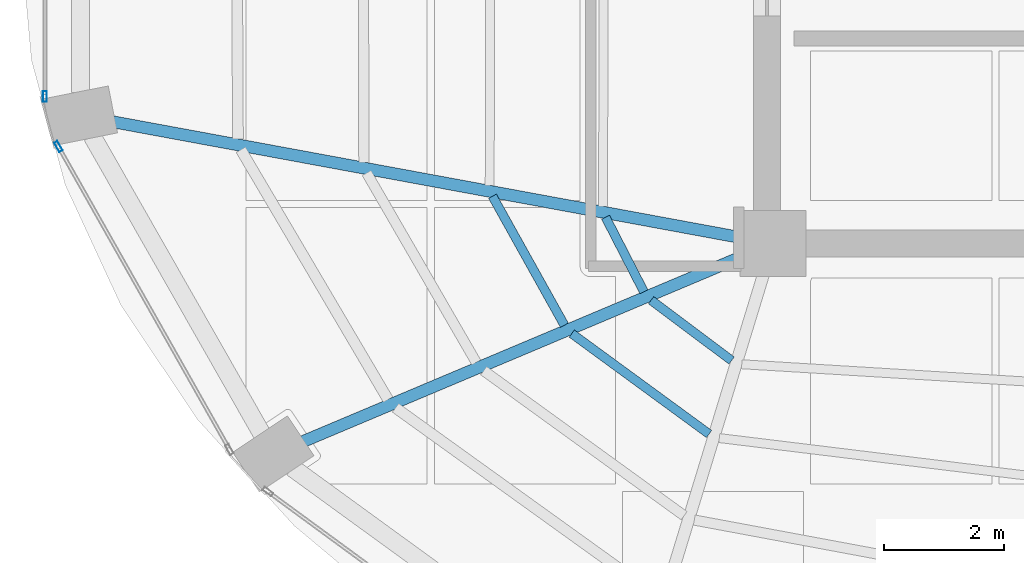
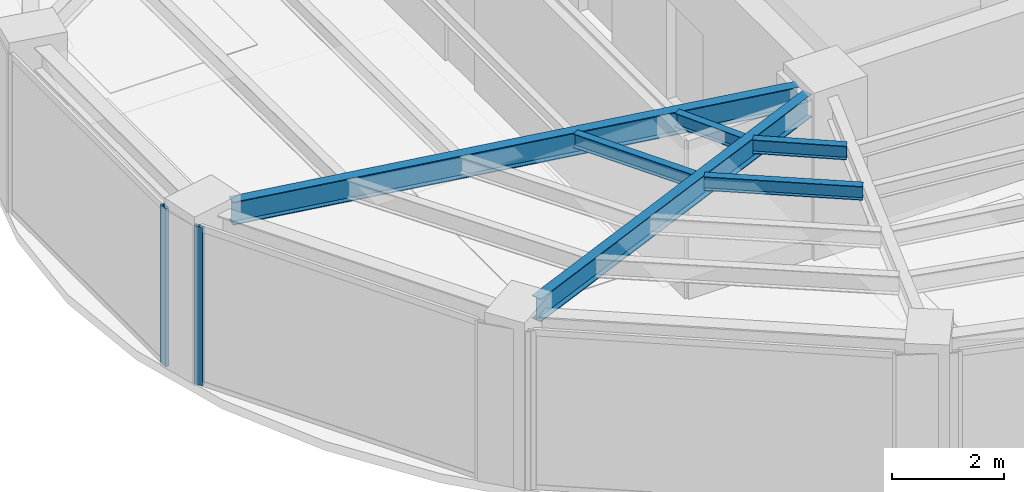
# One storey, part 4 of 22: 6 beams, 2 members, 2 elements without a shape of their own.
"""IFC4 building model written with IfcOpenShell, lengths in metres."""

import ifcopenshell
import ifcopenshell.guid

model = None  # the IFC model being written
_history = None  # IfcOwnerHistory: only IFC2X3 demands one
_inside = {}  # id of a spatial element -> (the spatial element, [elements in it])
_under = {}  # id of a project, library or spatial element -> (it, [spatial elements below it])
_declared = {}  # id of a project -> (the project, [libraries it declares])
_typed = {}  # id of a type object -> (the type object, [elements of that type])
_made_of = {}  # id of a material, layer set ... -> (it, [elements and type objects made of it])


def new_model(schema):
    """Start an empty IFC model of exactly this schema.

    Asked for "IFC4X3", IfcOpenShell would pick the latest addendum, in which some entities
    have other attributes; the version numbers below select the first issue.
    IFC2X3 requires an IfcOwnerHistory on every rooted entity: one is made here for all.
    """
    global model, _history
    if schema == "IFC4X3":
        model = ifcopenshell.file(schema_version=(4, 3, 0, 0))
    else:
        model = ifcopenshell.file(schema=schema)
    _inside.clear()
    _under.clear()
    _declared.clear()
    _typed.clear()
    _made_of.clear()
    _history = None
    if model.schema == "IFC2X3":
        org = make("IfcOrganization", Name="unknown")
        user = make(
            "IfcPersonAndOrganization",
            ThePerson=make("IfcPerson", FamilyName="unknown"),
            TheOrganization=org,
        )
        app = make(
            "IfcApplication",
            ApplicationDeveloper=org,
            Version="unknown",
            ApplicationFullName="unknown",
            ApplicationIdentifier="unknown",
        )
        _history = make(
            "IfcOwnerHistory",
            OwningUser=user,
            OwningApplication=app,
            ChangeAction="ADDED",
            CreationDate=0,
        )
    return model


def make(cls, **values):
    """One entity of the class cls with the attributes given. An attribute that is None is left unset."""
    return model.create_entity(
        cls, **{name: value for name, value in values.items() if value is not None}
    )


def rooted(cls, **values):
    """An entity with a GlobalId (a new one), such as an element, a storey or a relation."""
    return make(cls, GlobalId=ifcopenshell.guid.new(), OwnerHistory=_history, **values)


def si_unit(unit_type, name, prefix=None):
    """IfcSIUnit, for example si_unit("LENGTHUNIT", "METRE", prefix="MILLI")."""
    return make("IfcSIUnit", UnitType=unit_type, Prefix=prefix, Name=name)


def assignment(units):
    """IfcUnitAssignment: the units of a project."""
    return None if units is None else make("IfcUnitAssignment", Units=units)


def point(xyz):
    """IfcCartesianPoint."""
    return None if xyz is None else make("IfcCartesianPoint", Coordinates=xyz)


def direction(xyz):
    """IfcDirection."""
    return None if xyz is None else make("IfcDirection", DirectionRatios=xyz)


def frame(location, z_axis=None, x_axis=None):
    """IfcAxis2Placement3D, a coordinate frame: its origin and axes. An axis left out is left unset."""
    return make(
        "IfcAxis2Placement3D",
        Location=point(location),
        Axis=direction(z_axis),
        RefDirection=direction(x_axis),
    )


def frame_2d(location, x_axis=None):
    """IfcAxis2Placement2D, a coordinate frame in the plane: its origin and x axis."""
    return make(
        "IfcAxis2Placement2D", Location=point(location), RefDirection=direction(x_axis)
    )


def origin():
    """The frame at (0, 0, 0) with its axes left unset."""
    return frame((0.0, 0.0, 0.0))


def origin_2d():
    """The frame at (0, 0) in the plane with its x axis left unset."""
    return frame_2d((0.0, 0.0))


def place(relative_to, where):
    """IfcLocalPlacement: puts the frame where relative to a parent placement (None: the world)."""
    return make(
        "IfcLocalPlacement", PlacementRelTo=relative_to, RelativePlacement=where
    )


def context(
    kind, dimensions, precision=None, world=None, true_north=None, identifier=None
):
    """IfcGeometricRepresentationContext, for example the 3D "Model" context."""
    return make(
        "IfcGeometricRepresentationContext",
        ContextIdentifier=identifier,
        ContextType=kind,
        CoordinateSpaceDimension=dimensions,
        Precision=precision,
        WorldCoordinateSystem=world,
        TrueNorth=true_north,
    )


def subcontext(parent, identifier, kind, view, scale=None):
    """IfcGeometricRepresentationSubContext, for example "Body" below "Model"."""
    return make(
        "IfcGeometricRepresentationSubContext",
        ContextIdentifier=identifier,
        ContextType=kind,
        ParentContext=parent,
        TargetScale=scale,
        TargetView=view,
    )


def project(units=None, contexts=None):
    """IfcProject with its units and contexts."""
    return rooted(
        "IfcProject",
        Name="project",
        RepresentationContexts=contexts,
        UnitsInContext=assignment(units),
    )


def spatial(cls, under=None, at=None, **own):
    """A site, building, storey or space (cls), placed at a placement, below another one or the project."""
    s = rooted(cls, ObjectPlacement=at, **own)
    if under is not None:
        _under.setdefault(under.id(), (under, []))[1].append(s)
    return s


def profile(cls, at=None, kind="AREA", **sizes):
    """A parametric profile (cls). Its sizes go by their IFC names, for example OverallWidth=200.0."""
    return make(cls, ProfileType=kind, Position=at, **sizes)


def hollow_rectangle(**sizes):
    """IfcRectangleHollowProfileDef."""
    return profile("IfcRectangleHollowProfileDef", **sizes)


def i_section(**sizes):
    """IfcIShapeProfileDef."""
    return profile("IfcIShapeProfileDef", **sizes)


def extrude(swept, where, along, depth):
    """IfcExtrudedAreaSolid: the profile swept, set in the frame where, extruded along a direction by depth."""
    return make(
        "IfcExtrudedAreaSolid",
        SweptArea=swept,
        Position=where,
        ExtrudedDirection=direction(along),
        Depth=depth,
    )


def shape(context_of_items, identifier, shape_type, items):
    """IfcShapeRepresentation: the items that make up one representation, for example the "Body"."""
    return make(
        "IfcShapeRepresentation",
        ContextOfItems=context_of_items,
        RepresentationIdentifier=identifier,
        RepresentationType=shape_type,
        Items=items,
    )


def material(Name=None, Category=None):
    """IfcMaterial."""
    return make("IfcMaterial", Name=Name, Category=Category)


def layer(
    of_material, thickness, ventilated=None, Name=None, Category=None, Priority=None
):
    """IfcMaterialLayer: one layer of a wall or slab, of a material (None: an air gap)."""
    return make(
        "IfcMaterialLayer",
        Material=of_material,
        LayerThickness=thickness,
        IsVentilated=ventilated,
        Name=Name,
        Category=Category,
        Priority=Priority,
    )


def layer_set(layers, Name=None):
    """IfcMaterialLayerSet."""
    return make("IfcMaterialLayerSet", MaterialLayers=layers, LayerSetName=Name)


def material_profile(
    of_material, cross_section, Name=None, Category=None, Priority=None
):
    """IfcMaterialProfile: a cross section and its material."""
    return make(
        "IfcMaterialProfile",
        Name=Name,
        Material=of_material,
        Profile=cross_section,
        Priority=Priority,
        Category=Category,
    )


def profile_set(profiles, Name=None, composite=None):
    """IfcMaterialProfileSet."""
    return make(
        "IfcMaterialProfileSet",
        Name=Name,
        MaterialProfiles=profiles,
        CompositeProfile=composite,
    )


def made_of(thing, what):
    """Note that an element or type object is made of a material, layer set ...; save() writes the relation."""
    if what is not None:
        _made_of.setdefault(what.id(), (what, []))[1].append(thing)
    return thing


def type_object(cls, material=None, **own):
    """A type object (cls), such as IfcWallType, which elements share."""
    return made_of(rooted(cls, **own), material)


def element(
    cls,
    number,
    at=None,
    inside=None,
    cuts=None,
    type_object=None,
    material=None,
    context=None,
    identifier="Body",
    shape_type=None,
    held_by="IfcProductDefinitionShape",
    body=None,
    shapes=None,
    **own,
):
    """One element of the class cls, such as IfcWall. Its Tag is "e" and its number.

    at: its placement. inside: the storey or other place that contains it. cuts: it is an
    opening in that element (IfcRelVoidsElement). A single representation is given by context,
    identifier, shape_type and body (its items); several are given by shapes. held_by: the class
    of the entity that holds the representations. save() writes the other relations.
    """
    e = rooted(cls, Tag="e%d" % number, ObjectPlacement=at, **own)
    if body is not None:
        shapes = [shape(context, identifier, shape_type, body)]
    if shapes is not None:
        e.Representation = make(held_by, Representations=shapes)
    if inside is not None:
        _inside.setdefault(inside.id(), (inside, []))[1].append(e)
    if cuts is not None:
        rooted(
            "IfcRelVoidsElement", RelatingBuildingElement=cuts, RelatedOpeningElement=e
        )
    if type_object is not None:
        _typed.setdefault(type_object.id(), (type_object, []))[1].append(e)
    return made_of(e, material)


def aggregate(whole, parts):
    """IfcRelAggregates: a whole, such as a stair, and the parts it consists of."""
    return rooted("IfcRelAggregates", RelatingObject=whole, RelatedObjects=parts)


def save(model, path):
    """Write the relations noted so far, then the file.

    IfcRelAggregates (storeys below a building ...), IfcRelContainedInSpatialStructure (elements
    in a storey), IfcRelDefinesByType, IfcRelAssociatesMaterial and IfcRelDeclares: one each for
    every whole, place, type object, material and project.
    """
    for whole, parts in _under.values():
        aggregate(whole, parts)
    for where, things in _inside.values():
        rooted(
            "IfcRelContainedInSpatialStructure",
            RelatedElements=things,
            RelatingStructure=where,
        )
    for kind, things in _typed.values():
        rooted("IfcRelDefinesByType", RelatedObjects=things, RelatingType=kind)
    for what, things in _made_of.values():
        rooted("IfcRelAssociatesMaterial", RelatedObjects=things, RelatingMaterial=what)
    for by, libraries in _declared.values():
        rooted("IfcRelDeclares", RelatingContext=by, RelatedDefinitions=libraries)
    model.write(path)


model = new_model("IFC4")

# Units and contexts
model_context = context("Model", 3, precision=1e-05, world=origin(), true_north=direction((0.0, 1.0)))
body_context = subcontext(model_context, "Body", "Model", "MODEL_VIEW")
ifc_project = project(units=[si_unit("LENGTHUNIT", "METRE"), si_unit("AREAUNIT", "SQUARE_METRE"), si_unit("VOLUMEUNIT", "CUBIC_METRE"), si_unit("PLANEANGLEUNIT", "RADIAN"), si_unit("MASSUNIT", "GRAM", prefix="KILO")], contexts=[model_context])

# Site, building, storey
site_placement = place(None, origin())
site = spatial("IfcSite", under=ifc_project, at=site_placement, CompositionType="ELEMENT")
building_placement = place(site_placement, origin())
building = spatial("IfcBuilding", under=site, at=building_placement, Name="Lazwardi Medical Tower", CompositionType="ELEMENT")
storey_placement = place(building_placement, frame((0.0, 0.0, 255.02392578125)))
storey = spatial("IfcBuildingStorey", under=building, at=storey_placement, Name="L66", CompositionType="ELEMENT", Elevation=255.02392578125)

# Beams
ifc_material_1 = material(Name="Steel S355", Category="steel")
ifc_material_profile_1 = material_profile(ifc_material_1, i_section(OverallWidth=0.199951171875, OverallDepth=0.5, WebThickness=0.01025390625, FlangeThickness=0.01611328125, at=origin_2d()), Name="IPE 500")
ifc_profile_set_1 = profile_set([ifc_material_profile_1], Name="Steel S355")
beam_type_1 = type_object("IfcBeamType", Name="BM-RG-W3", PredefinedType="BEAM", material=ifc_profile_set_1)
beam_1_placement = place(storey_placement, frame((15.341064453125, 22.43994140625, 3.197998046875), z_axis=(0.983409341459, -0.181400295288, 0.0), x_axis=(0.181400295288, 0.983409341459, 0.0)))
element("IfcBeam", 1, at=beam_1_placement, inside=storey, type_object=beam_type_1, Name="Radial girder RG-04 R13 L66", PredefinedType="BEAM", context=body_context, shape_type="SweptSolid", body=[
    extrude(i_section(OverallWidth=0.199951171875, OverallDepth=0.5, WebThickness=0.01025390625, FlangeThickness=0.01611328125, at=origin_2d()), origin(), (0.0, 0.0, 1.0), 10.71044921875),
])
beam_2_placement = place(storey_placement, frame((18.533203125, 17.085205078125, 3.197998046875), z_axis=(0.921526791352, 0.388314785735, 0.0), x_axis=(-0.388314785735, 0.921526791352, 0.0)))
element("IfcBeam", 2, at=beam_2_placement, inside=storey, type_object=beam_type_1, Name="Radial girder RG-04 R14 L66", PredefinedType="BEAM", context=body_context, shape_type="SweptSolid", body=[
    extrude(i_section(OverallWidth=0.199951171875, OverallDepth=0.5, WebThickness=0.01025390625, FlangeThickness=0.01611328125, at=origin_2d()), origin(), (0.0, 0.0, 1.0), 8.001708984375),
])
ifc_material_profile_2 = material_profile(ifc_material_1, i_section(OverallWidth=0.14990234375, OverallDepth=0.300048828125, WebThickness=0.007080078125, FlangeThickness=0.0107421875, at=origin_2d()), Name="IPE 300")
ifc_profile_set_2 = profile_set([ifc_material_profile_2], Name="Steel S355")
beam_type_2 = type_object("IfcBeamType", Name="BM-SJ-03", PredefinedType="JOIST", material=ifc_profile_set_2)
beam_3_placement = place(storey_placement, frame((21.70703125, 21.19140625, 3.298095703125), z_axis=(0.487092942089, -0.873350139272, 0.0), x_axis=(0.873350139272, 0.487092942089, 0.0)))
element("IfcBeam", 3, at=beam_3_placement, inside=storey, type_object=beam_type_2, Name="Secondary joist SJ-03 R3 B13 L66", PredefinedType="JOIST", context=body_context, shape_type="SweptSolid", body=[
    extrude(i_section(OverallWidth=0.14990234375, OverallDepth=0.300048828125, WebThickness=0.007080078125, FlangeThickness=0.0107421875, at=origin_2d()), origin(), (0.0, 0.0, 1.0), 2.471923828125),
])
beam_4_placement = place(storey_placement, frame((23.0341796875, 18.893310546875, 3.298095703125), z_axis=(0.80703431267, -0.59050454543, 0.0), x_axis=(0.59050454543, 0.80703431267, 0.0)))
element("IfcBeam", 4, at=beam_4_placement, inside=storey, type_object=beam_type_2, Name="Secondary joist SJ-03 R3 B14 L66", PredefinedType="JOIST", context=body_context, shape_type="SweptSolid", body=[
    extrude(i_section(OverallWidth=0.14990234375, OverallDepth=0.300048828125, WebThickness=0.007080078125, FlangeThickness=0.0107421875, at=origin_2d()), origin(), (0.0, 0.0, 1.0), 2.846923828125),
])
beam_5_placement = place(storey_placement, frame((23.60009765625, 20.840087890625, 3.298095703125), z_axis=(0.457285056668, -0.889320176848, 0.0), x_axis=(0.889320176848, 0.457285056668, 0.0)))
element("IfcBeam", 5, at=beam_5_placement, inside=storey, type_object=beam_type_2, Name="Secondary joist SJ-03 R4 B13 L66", PredefinedType="JOIST", context=body_context, shape_type="SweptSolid", body=[
    extrude(i_section(OverallWidth=0.14990234375, OverallDepth=0.300048828125, WebThickness=0.007080078125, FlangeThickness=0.0107421875, at=origin_2d()), origin(), (0.0, 0.0, 1.0), 1.402099609375),
])
beam_6_placement = place(storey_placement, frame((24.36083984375, 19.451904296875, 3.298095703125), z_axis=(0.800365301971, -0.599512621553, 0.0), x_axis=(0.599512621553, 0.800365301971, 0.0)))
element("IfcBeam", 6, at=beam_6_placement, inside=storey, type_object=beam_type_2, Name="Secondary joist SJ-03 R4 B14 L66", PredefinedType="JOIST", context=body_context, shape_type="SweptSolid", body=[
    extrude(i_section(OverallWidth=0.14990234375, OverallDepth=0.300048828125, WebThickness=0.007080078125, FlangeThickness=0.0107421875, at=origin_2d()), origin(), (0.0, 0.0, 1.0), 1.68359375),
])

# Curtain wall, member
ifc_material_2 = material(Name="Anodised bronze aluminium and solar control glazing", Category="aluminium")
ifc_layer = layer(ifc_material_2, 0.18994140625)
ifc_layer_set = layer_set([ifc_layer], Name="Anodised bronze aluminium and solar control glazing")
curtain_wall_type = type_object("IfcCurtainWallType", Name="CW-SYS-04", PredefinedType="NOTDEFINED", material=ifc_layer_set)
curtain_wall_1_placement = place(storey_placement, origin())
curtain_wall_1 = element("IfcCurtainWall", 7, at=curtain_wall_1_placement, inside=storey, type_object=curtain_wall_type, Name="L66 Unitised bronze curtain wall CW-04", PredefinedType="NOTDEFINED")
ifc_material_3 = material(Name="Anodised bronze aluminium", Category="aluminium")
ifc_material_profile_3 = material_profile(ifc_material_3, hollow_rectangle(XDim=0.06494140625, YDim=0.179931640625, WallThickness=0.00390625, at=origin_2d()), Name="ALU-MULLION 180x65x4")
ifc_profile_set_3 = profile_set([ifc_material_profile_3], Name="Anodised bronze aluminium")
member_type = type_object("IfcMemberType", Name="CW-MUL-03", PredefinedType="MULLION", material=ifc_profile_set_3)
member_1_placement = place(storey_placement, frame((14.2158203125, 22.859619140625, 0.0), z_axis=(0.0, 0.0, 1.0), x_axis=(1.0, 0.0, 0.0)))
member_1 = element("IfcMember", 8, at=member_1_placement, type_object=member_type, Name="CW-04 mullion 2", PredefinedType="MULLION", context=body_context, shape_type="SweptSolid", body=[
    extrude(hollow_rectangle(XDim=0.06494140625, YDim=0.179931640625, WallThickness=0.00390625, at=origin_2d()), origin(), (0.0, 0.0, 1.0), 3.447998046875),
])
aggregate(curtain_wall_1, [member_1])

curtain_wall_2_placement = place(storey_placement, origin())
curtain_wall_2 = element("IfcCurtainWall", 9, at=curtain_wall_2_placement, inside=storey, type_object=curtain_wall_type, Name="L66 Unitised bronze curtain wall CW-04", PredefinedType="NOTDEFINED")
member_2_placement = place(storey_placement, frame((14.442626953125, 22.021728515625, 0.0), z_axis=(0.0, 0.0, 1.0), x_axis=(0.870651436011, 0.491900474661, 0.0)))
member_2 = element("IfcMember", 10, at=member_2_placement, type_object=member_type, Name="CW-04 mullion 1", PredefinedType="MULLION", context=body_context, shape_type="SweptSolid", body=[
    extrude(hollow_rectangle(XDim=0.06494140625, YDim=0.179931640625, WallThickness=0.00390625, at=origin_2d()), origin(), (0.0, 0.0, 1.0), 3.447998046875),
])
aggregate(curtain_wall_2, [member_2])

save(model, "model.ifc")
